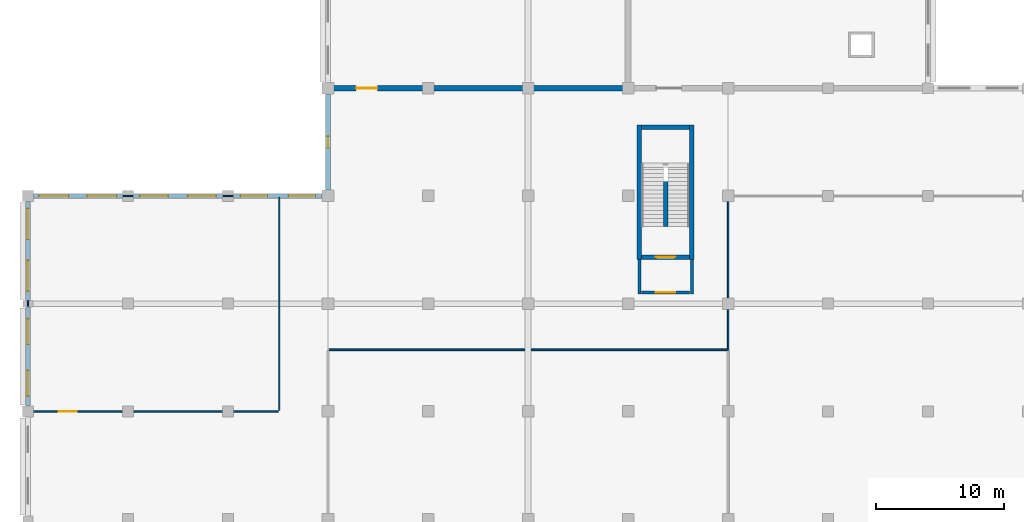
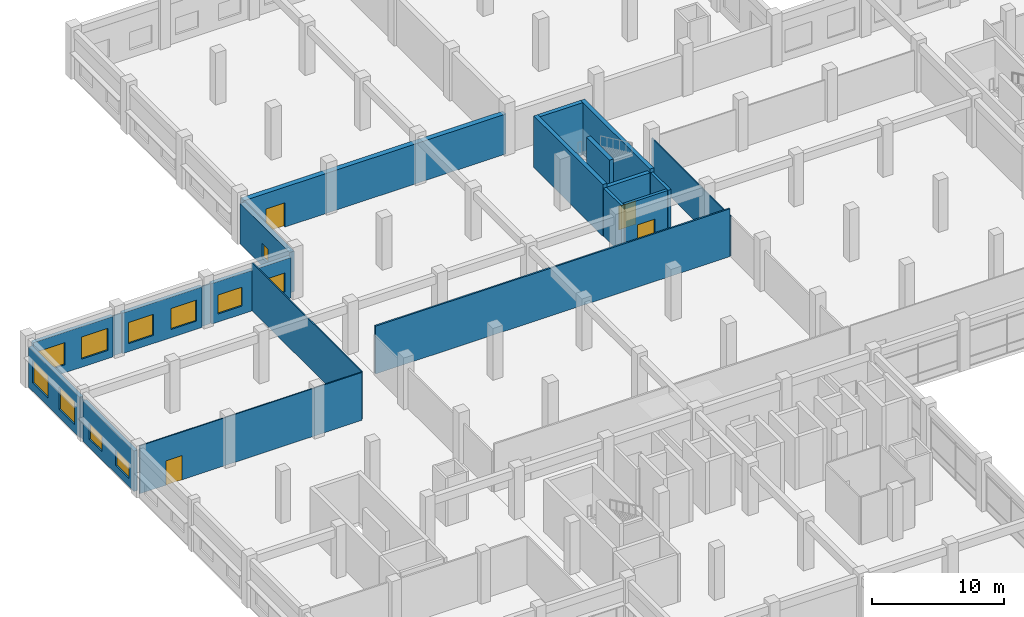
# One storey, part 59 of 79: 22 walls, 11 windows, 4 doors, 15 openings.
"""IFC4 building model written with IfcOpenShell, lengths in metres."""

from ifc_helpers import new_model, si_unit, direction, frame, frame_2d, origin, place, context, subcontext, project, spatial, rectangle, extrude, material, layer, layer_set, type_object, element, fill, save


model = new_model("IFC4")

# Units and contexts
model_context = context("Model", 3, precision=1e-05, world=origin(), true_north=direction((0.0, 1.0)))
body_context = subcontext(model_context, "Body", "Model", "MODEL_VIEW")
ifc_project = project(units=[si_unit("LENGTHUNIT", "METRE"), si_unit("AREAUNIT", "SQUARE_METRE"), si_unit("VOLUMEUNIT", "CUBIC_METRE"), si_unit("PLANEANGLEUNIT", "RADIAN"), si_unit("MASSUNIT", "GRAM", prefix="KILO"), si_unit("THERMODYNAMICTEMPERATUREUNIT", "KELVIN"), si_unit("POWERUNIT", "WATT")], contexts=[model_context])

# Site, building, storey
site_placement = place(None, origin())
site = spatial("IfcSite", under=ifc_project, at=site_placement, CompositionType="ELEMENT")
building_placement = place(site_placement, origin())
building = spatial("IfcBuilding", under=site, at=building_placement, Name="Srebrne Nadtorze General Hospital", CompositionType="ELEMENT")
storey_placement = place(building_placement, frame((0.0, 0.0, 4.800048828125)))
storey = spatial("IfcBuildingStorey", under=building, at=storey_placement, Name="L01", CompositionType="ELEMENT", Elevation=4.800048828125)

# Wall, opening, window
ifc_material_1 = material(Name="Concrete C40/50", Category="concrete")
ifc_layer_1 = layer(ifc_material_1, 0.419921875)
ifc_layer_set_1 = layer_set([ifc_layer_1], Name="Concrete C40/50")
wall_type_1 = type_object("IfcWallType", Name="Acoustic buffer wall 420", PredefinedType="SOLIDWALL", material=ifc_layer_set_1)
wall_1_placement = place(storey_placement, frame((23.39990234375, 84.449951171875, 0.0), z_axis=(0.0, 0.0, 1.0), x_axis=(0.0, 1.0, 0.0)))
wall_1 = element("IfcWall", 1, at=wall_1_placement, inside=storey, type_object=wall_type_1, Name="Exterior wall WL-ENV-L01-0194", PredefinedType="SOLIDWALL", context=body_context, shape_type="SweptSolid", body=[
    extrude(rectangle(XDim=7.5, YDim=0.419921875, at=frame_2d((3.75, 0.0))), origin(), (0.0, 0.0, 1.0), 3.75),
])
opening_1_placement = place(wall_1_placement, frame((3.300048828125, 0.0, 0.75)))
opening_1 = element("IfcOpeningElement", 2, at=opening_1_placement, cuts=wall_1, Name="Opening WN-L01-0208", PredefinedType="OPENING", context=body_context, shape_type="SweptSolid", body=[
    extrude(rectangle(XDim=0.89990234375, YDim=1.300048828125, at=frame_2d((0.449951171875, 0.64990234375))), frame((0.0, 0.221923828125, 0.0), z_axis=(0.0, -1.0, 0.0), x_axis=(1.0, 0.0, 0.0)), (0.0, 0.0, 1.0), 0.44384765625),
])
ifc_material_2 = material(Name="Triple Low-E Glazing", Category="glass")
window_type_1 = type_object("IfcWindowType", Name="Punched clinical window 900x1300", PartitioningType="SINGLE_PANEL", PredefinedType="WINDOW", material=ifc_material_2)
window_1_placement = place(opening_1_placement, origin())
window_1 = element("IfcWindow", 3, at=window_1_placement, inside=storey, type_object=window_type_1, Name="Clinical window WN-L01-0208", OverallHeight=1.300048828125, OverallWidth=0.89990234375, PartitioningType="SINGLE_PANEL", PredefinedType="WINDOW", context=body_context, shape_type="SweptSolid", body=[
    extrude(rectangle(XDim=0.89990234375, YDim=1.300048828125, at=frame_2d((0.449951171875, 0.64990234375))), frame((0.0, 0.030029296875, 0.0), z_axis=(0.0, -1.0, 0.0), x_axis=(1.0, 0.0, 0.0)), (0.0, 0.0, 1.0), 0.06005859375),
])
fill(opening_1, window_1)

# Walls
ifc_material_3 = material(Name="Gypsum Healthcare Partition")
ifc_layer_2 = layer(ifc_material_3, 0.139892578125)
ifc_layer_set_2 = layer_set([ifc_layer_2], Name="Gypsum Healthcare Partition")
wall_type_2 = type_object("IfcWallType", Name="Clinical partition 140", PredefinedType="PARTITIONING", material=ifc_layer_set_2)
wall_2_placement = place(storey_placement, frame((23.485107421875, 72.0, 0.0), z_axis=(0.0, 0.0, 1.0), x_axis=(1.0, 0.0, 0.0)))
element("IfcWall", 4, at=wall_2_placement, inside=storey, type_object=wall_type_2, Name="Interventional Radiology Suite wall WL-INT-L01-1436", PredefinedType="PARTITIONING", context=body_context, shape_type="SweptSolid", body=[
    extrude(rectangle(XDim=31.02978515625, YDim=0.139892578125, at=frame_2d((15.514892578125, 0.0))), origin(), (0.0, 0.0, 1.0), 4.429931640625),
])
ifc_material_4 = material(Name="Gypsum Healthcare Partition")
ifc_layer_3 = layer(ifc_material_4, 0.239990234375)
ifc_layer_set_3 = layer_set([ifc_layer_3], Name="Gypsum Healthcare Partition")
wall_type_3 = type_object("IfcWallType", Name="Corridor fire wall 240", PredefinedType="STANDARD", material=ifc_layer_set_3)
for number, where, z_axis, x_axis, name in (
    (5, (47.675048828125, 76.35498046875, 0.0), (0.0, 0.0, 1.0), (0.0, 1.0, 0.0), "Fire lobby wall ST-02 WL-INT-L01-0141"),
    (6, (51.77490234375, 76.35498046875, 0.0), (0.0, 0.0, 1.0), (0.0, 1.0, 0.0), "Fire lobby wall ST-02 WL-INT-L01-0142"),
):
    element("IfcWall", number, at=place(storey_placement, frame(where, z_axis=z_axis, x_axis=x_axis)), inside=storey, type_object=wall_type_3, Name=name, PredefinedType="STANDARD", context=body_context, shape_type="SweptSolid", body=[
        extrude(rectangle(XDim=2.695068359375, YDim=0.239990234375, at=frame_2d((1.34765625, 0.0))), origin(), (0.0, 0.0, 1.0), 4.449951171875),
    ])

# Wall, opening, door
wall_3_placement = place(storey_placement, frame((47.85009765625, 76.47509765625, 0.0), z_axis=(0.0, 0.0, 1.0), x_axis=(1.0, 0.0, 0.0)))
wall_3 = element("IfcWall", 7, at=wall_3_placement, inside=storey, type_object=wall_type_3, Name="Fire lobby entry wall ST-02 WL-INT-L01-0143", PredefinedType="STANDARD", context=body_context, shape_type="SweptSolid", body=[
    extrude(rectangle(XDim=3.75, YDim=0.239990234375, at=frame_2d((1.875, 0.0))), origin(), (0.0, 0.0, 1.0), 4.449951171875),
])
opening_2_placement = place(wall_3_placement, frame((1.125, 0.0, 0.0)))
opening_2 = element("IfcOpeningElement", 8, at=opening_2_placement, cuts=wall_3, Name="Opening D-L01-0036", PredefinedType="OPENING", context=body_context, shape_type="SweptSolid", body=[
    extrude(rectangle(XDim=1.5, YDim=2.199951171875, at=frame_2d((0.75, 1.10009765625))), frame((0.0, 0.1318359375, 0.0), z_axis=(0.0, -1.0, 0.0), x_axis=(1.0, 0.0, 0.0)), (0.0, 0.0, 1.0), 0.263916015625),
])
ifc_material_5 = material(Name="Anodised Aluminium", Category="aluminium")
door_type_1 = type_object("IfcDoorType", Name="Double leaf door 1500x2200", OperationType="DOUBLE_DOOR_SINGLE_SWING", PredefinedType="DOOR", material=ifc_material_5)
door_1_placement = place(opening_2_placement, origin())
door_1 = element("IfcDoor", 9, at=door_1_placement, inside=storey, type_object=door_type_1, Name="Fire lobby door ST-02 D-L01-0036", OperationType="DOUBLE_DOOR_SINGLE_SWING", OverallHeight=2.199951171875, OverallWidth=1.5, PredefinedType="DOOR", context=body_context, shape_type="SweptSolid", body=[
    extrude(rectangle(XDim=1.5, YDim=2.199951171875, at=frame_2d((0.75, 1.10009765625))), frame((0.0, 0.02490234375, 0.0), z_axis=(0.0, -1.0, 0.0), x_axis=(1.0, 0.0, 0.0)), (0.0, 0.0, 1.0), 0.050048828125),
])
fill(opening_2, door_1)

ifc_material_6 = material(Name="Concrete C35/45", Category="concrete")
ifc_layer_4 = layer(ifc_material_6, 0.449951171875)
ifc_layer_set_4 = layer_set([ifc_layer_4], Name="Concrete C35/45")
wall_type_4 = type_object("IfcWallType", Name="Radiation shield wall 450", PredefinedType="STANDARD", material=ifc_layer_set_4)
wall_4_placement = place(storey_placement, frame((23.614990234375, 92.39990234375, 0.0), z_axis=(0.0, 0.0, 1.0), x_axis=(1.0, 0.0, 0.0)))
wall_4 = element("IfcWall", 10, at=wall_4_placement, inside=storey, type_object=wall_type_4, Name="Diagnostic Imaging MRI Suite wall WL-INT-L01-1415", PredefinedType="STANDARD", context=body_context, shape_type="SweptSolid", body=[
    extrude(rectangle(XDim=22.969970703125, YDim=0.449951171875, at=frame_2d((11.48486328125, 0.0))), origin(), (0.0, 0.0, 1.0), 3.699951171875),
])
opening_3_placement = place(wall_4_placement, frame((1.985107421875, 0.0, 0.0)))
opening_3 = element("IfcOpeningElement", 11, at=opening_3_placement, cuts=wall_4, Name="Opening D-L01-0220", PredefinedType="OPENING", context=body_context, shape_type="SweptSolid", body=[
    extrude(rectangle(XDim=1.64990234375, YDim=2.25, at=frame_2d((0.824951171875, 1.125))), frame((0.0, 0.23681640625, 0.0), z_axis=(0.0, -1.0, 0.0), x_axis=(1.0, 0.0, 0.0)), (0.0, 0.0, 1.0), 0.473876953125),
])
ifc_material_7 = material(Name="Anodised Aluminium", Category="aluminium")
door_type_2 = type_object("IfcDoorType", Name="Double leaf door 1650x2250", OperationType="DOUBLE_DOOR_SINGLE_SWING", PredefinedType="DOOR", material=ifc_material_7)
door_2_placement = place(opening_3_placement, origin())
door_2 = element("IfcDoor", 12, at=door_2_placement, inside=storey, type_object=door_type_2, Name="Diagnostic Imaging MRI Suite door D-L01-0220", OperationType="DOUBLE_DOOR_SINGLE_SWING", OverallHeight=2.25, OverallWidth=1.64990234375, PredefinedType="DOOR", context=body_context, shape_type="SweptSolid", body=[
    extrude(rectangle(XDim=1.64990234375, YDim=2.25, at=frame_2d((0.824951171875, 1.125))), frame((0.0, 0.02490234375, 0.0), z_axis=(0.0, -1.0, 0.0), x_axis=(1.0, 0.0, 0.0)), (0.0, 0.0, 1.0), 0.050048828125),
])
fill(opening_3, door_2)

ifc_material_8 = material(Name="Gypsum Healthcare Partition")
ifc_layer_5 = layer(ifc_material_8, 0.10009765625)
ifc_layer_set_5 = layer_set([ifc_layer_5], Name="Gypsum Healthcare Partition")
wall_type_5 = type_object("IfcWallType", Name="Shaft lining wall 100", PredefinedType="PARTITIONING", material=ifc_layer_set_5)
wall_5_placement = place(storey_placement, frame((0.0849609375, 67.199951171875, 0.0), z_axis=(0.0, 0.0, 1.0), x_axis=(1.0, 0.0, 0.0)))
wall_5 = element("IfcWall", 13, at=wall_5_placement, inside=storey, type_object=wall_type_5, Name="Pediatric Emergency Observation Ward wall WL-INT-L01-1410", PredefinedType="PARTITIONING", context=body_context, shape_type="SweptSolid", body=[
    extrude(rectangle(XDim=19.429931640625, YDim=0.10009765625, at=frame_2d((9.71484375, 0.0))), origin(), (0.0, 0.0, 1.0), 4.429931640625),
])
opening_4_placement = place(wall_5_placement, frame((2.3125, 0.0, 0.0)))
opening_4 = element("IfcOpeningElement", 14, at=opening_4_placement, cuts=wall_5, Name="Opening D-L01-0219", PredefinedType="OPENING", context=body_context, shape_type="SweptSolid", body=[
    extrude(rectangle(XDim=1.39990234375, YDim=2.25, at=frame_2d((0.699951171875, 1.125))), frame((0.0, 0.06201171875, 0.0), z_axis=(0.0, -1.0, 0.0), x_axis=(1.0, 0.0, 0.0)), (0.0, 0.0, 1.0), 0.1240234375),
])
ifc_material_9 = material(Name="Anodised Aluminium", Category="aluminium")
door_type_3 = type_object("IfcDoorType", Name="Single leaf door 1400x2250", OperationType="NOTDEFINED", PredefinedType="DOOR", material=ifc_material_9)
door_3_placement = place(opening_4_placement, origin())
door_3 = element("IfcDoor", 15, at=door_3_placement, inside=storey, type_object=door_type_3, Name="Pediatric Emergency Observation Ward door D-L01-0219", OperationType="SINGLE_SWING_LEFT", OverallHeight=2.25, OverallWidth=1.39990234375, PredefinedType="DOOR", context=body_context, shape_type="SweptSolid", body=[
    extrude(rectangle(XDim=1.39990234375, YDim=2.25, at=frame_2d((0.699951171875, 1.125))), frame((0.0, 0.02490234375, 0.0), z_axis=(0.0, -1.0, 0.0), x_axis=(1.0, 0.0, 0.0)), (0.0, 0.0, 1.0), 0.050048828125),
])
fill(opening_4, door_3)

# Walls
for number, where, z_axis, x_axis, name in (
    (16, (7.4150390625, 84.0, 0.0), (0.0, 0.0, 1.0), (1.0, 0.0, 0.0), "Pediatric Emergency Observation Ward wall WL-INT-L01-1411"),
    (17, (15.215087890625, 84.0, 0.0), (0.0, 0.0, 1.0), (1.0, 0.0, 0.0), "Pediatric Emergency Observation Ward wall WL-INT-L01-1412"),
):
    element("IfcWall", number, at=place(storey_placement, frame(where, z_axis=z_axis, x_axis=x_axis)), inside=storey, type_object=wall_type_5, Name=name, PredefinedType="PARTITIONING", context=body_context, shape_type="SweptSolid", body=[
        extrude(rectangle(XDim=0.77001953125, YDim=0.10009765625, at=frame_2d((0.385009765625, 0.0))), origin(), (0.0, 0.0, 1.0), 3.699951171875),
    ])
wall_6_placement = place(storey_placement, frame((0.0, 75.389892578125, 0.0), z_axis=(0.0, 0.0, 1.0), x_axis=(0.0, 1.0, 0.0)))
element("IfcWall", 18, at=wall_6_placement, inside=storey, type_object=wall_type_5, Name="Pediatric Emergency Observation Ward wall WL-INT-L01-1413", PredefinedType="PARTITIONING", context=body_context, shape_type="SweptSolid", body=[
    extrude(rectangle(XDim=0.420166015625, YDim=0.10009765625, at=frame_2d((0.2099609375, 0.0))), origin(), (0.0, 0.0, 1.0), 3.699951171875),
])
wall_7_placement = place(storey_placement, frame((19.60009765625, 67.284912109375, 0.0), z_axis=(0.0, 0.0, 1.0), x_axis=(0.0, 1.0, 0.0)))
element("IfcWall", 19, at=wall_7_placement, inside=storey, type_object=wall_type_5, Name="Pediatric Emergency Observation Ward wall WL-INT-L01-1414", PredefinedType="PARTITIONING", context=body_context, shape_type="SweptSolid", body=[
    extrude(rectangle(XDim=16.630126953125, YDim=0.10009765625, at=frame_2d((8.31494140625, 0.0))), origin(), (0.0, 0.0, 1.0), 4.429931640625),
])
wall_8_placement = place(storey_placement, frame((54.60009765625, 71.955078125, 0.0), z_axis=(0.0, 0.0, 1.0), x_axis=(0.0, 1.0, 0.0)))
element("IfcWall", 20, at=wall_8_placement, inside=storey, type_object=wall_type_5, Name="Angiography and Fluoroscopy Suite wall WL-INT-L01-1441", PredefinedType="PARTITIONING", context=body_context, shape_type="SweptSolid", body=[
    extrude(rectangle(XDim=11.9599609375, YDim=0.10009765625, at=frame_2d((5.97998046875, 0.0))), origin(), (0.0, 0.0, 1.0), 3.699951171875),
])
ifc_material_10 = material(Name="Concrete C40/50", Category="concrete")
ifc_layer_6 = layer(ifc_material_10, 0.35009765625)
ifc_layer_set_6 = layer_set([ifc_layer_6], Name="Concrete C40/50")
wall_type_6 = type_object("IfcWallType", Name="Shear core wall 350", PredefinedType="SHEAR", material=ifc_layer_set_6)
for number, where, z_axis, x_axis, name in (
    (21, (47.675048828125, 79.050048828125, 0.0), (0.0, 0.0, 1.0), (0.0, 1.0, 0.0), "Stair core wall ST-02 WL-INT-L01-0137"),
    (22, (51.77490234375, 79.050048828125, 0.0), (0.0, 0.0, 1.0), (0.0, 1.0, 0.0), "Stair core wall ST-02 WL-INT-L01-0138"),
):
    element("IfcWall", number, at=place(storey_placement, frame(where, z_axis=z_axis, x_axis=x_axis)), inside=storey, type_object=wall_type_6, Name=name, PredefinedType="SHEAR", context=body_context, shape_type="SweptSolid", body=[
        extrude(rectangle(XDim=10.5, YDim=0.35009765625, at=frame_2d((5.25, 0.0))), origin(), (0.0, 0.0, 1.0), 4.800048828125),
    ])
wall_9_placement = place(storey_placement, frame((47.85009765625, 89.375, 0.0), z_axis=(0.0, 0.0, 1.0), x_axis=(1.0, 0.0, 0.0)))
element("IfcWall", 23, at=wall_9_placement, inside=storey, type_object=wall_type_6, Name="Stair core wall ST-02 WL-INT-L01-0139", PredefinedType="SHEAR", context=body_context, shape_type="SweptSolid", body=[
    extrude(rectangle(XDim=3.75, YDim=0.35009765625, at=frame_2d((1.875, 0.0))), origin(), (0.0, 0.0, 1.0), 4.800048828125),
])

# Wall, opening, door
wall_10_placement = place(storey_placement, frame((47.85009765625, 79.22509765625, 0.0), z_axis=(0.0, 0.0, 1.0), x_axis=(1.0, 0.0, 0.0)))
wall_10 = element("IfcWall", 24, at=wall_10_placement, inside=storey, type_object=wall_type_6, Name="Stairwell fire wall ST-02 WL-INT-L01-0140", PredefinedType="SHEAR", context=body_context, shape_type="SweptSolid", body=[
    extrude(rectangle(XDim=3.75, YDim=0.35009765625, at=frame_2d((1.875, 0.0))), origin(), (0.0, 0.0, 1.0), 4.449951171875),
])
opening_5_placement = place(wall_10_placement, frame((1.125, 0.0, 0.0)))
opening_5 = element("IfcOpeningElement", 25, at=opening_5_placement, cuts=wall_10, Name="Opening D-L01-0035", PredefinedType="OPENING", context=body_context, shape_type="SweptSolid", body=[
    extrude(rectangle(XDim=1.5, YDim=2.199951171875, at=frame_2d((0.75, 1.10009765625))), frame((0.0, 0.18701171875, 0.0), z_axis=(0.0, -1.0, 0.0), x_axis=(1.0, 0.0, 0.0)), (0.0, 0.0, 1.0), 0.3740234375),
])
door_4_placement = place(opening_5_placement, origin())
door_4 = element("IfcDoor", 26, at=door_4_placement, inside=storey, type_object=door_type_1, Name="Protected stair door ST-02 D-L01-0035", OperationType="DOUBLE_DOOR_SINGLE_SWING", OverallHeight=2.199951171875, OverallWidth=1.5, PredefinedType="DOOR", context=body_context, shape_type="SweptSolid", body=[
    extrude(rectangle(XDim=1.5, YDim=2.199951171875, at=frame_2d((0.75, 1.10009765625))), frame((0.0, 0.02490234375, 0.0), z_axis=(0.0, -1.0, 0.0), x_axis=(1.0, 0.0, 0.0)), (0.0, 0.0, 1.0), 0.050048828125),
])
fill(opening_5, door_4)

# Wall
wall_11_placement = place(storey_placement, frame((49.72509765625, 81.60009765625, 0.0), z_axis=(0.0, 0.0, 1.0), x_axis=(0.0, 1.0, 0.0)))
element("IfcWall", 27, at=wall_11_placement, inside=storey, type_object=wall_type_6, Name="Stair spine wall ST-02 WL-INT-L01-0144", PredefinedType="SHEAR", context=body_context, shape_type="SweptSolid", body=[
    extrude(rectangle(XDim=3.52001953125, YDim=0.35009765625, at=frame_2d((1.760009765625, 0.0))), origin(), (0.0, 0.0, 1.0), 4.800048828125),
])

# Wall, openings, windows
ifc_material_11 = material(Name="Concrete C35/45", Category="concrete")
ifc_layer_7 = layer(ifc_material_11, 0.320068359375)
ifc_layer_set_7 = layer_set([ifc_layer_7], Name="Concrete C35/45")
wall_type_7 = type_object("IfcWallType", Name="Spandrel wall 320", PredefinedType="STANDARD", material=ifc_layer_set_7)
wall_12_placement = place(storey_placement, frame((0.425048828125, 84.0, 0.0), z_axis=(0.0, 0.0, 1.0), x_axis=(1.0, 0.0, 0.0)))
wall_12 = element("IfcWall", 28, at=wall_12_placement, inside=storey, type_object=wall_type_7, Name="Exterior wall WL-ENV-L01-0165", PredefinedType="STANDARD", context=body_context, shape_type="SweptSolid", body=[
    extrude(rectangle(XDim=6.949951171875, YDim=0.320068359375, at=frame_2d((3.47509765625, 0.0))), origin(), (0.0, 0.0, 1.0), 3.75),
])
opening_6_placement = place(wall_12_placement, frame((0.452880859375, 0.0, 0.75)))
opening_6 = element("IfcOpeningElement", 29, at=opening_6_placement, cuts=wall_12, Name="Opening WN-L01-0150", PredefinedType="OPENING", context=body_context, shape_type="SweptSolid", body=[
    extrude(rectangle(XDim=2.300048828125, YDim=2.050048828125, at=frame_2d((1.14990234375, 1.02490234375))), frame((0.0, 0.171875, 0.0), z_axis=(0.0, -1.0, 0.0), x_axis=(1.0, 0.0, 0.0)), (0.0, 0.0, 1.0), 0.343994140625),
])
opening_7_placement = place(wall_12_placement, frame((4.197021484375, 0.0, 0.75)))
opening_7 = element("IfcOpeningElement", 30, at=opening_7_placement, cuts=wall_12, Name="Opening WN-L01-0151", PredefinedType="OPENING", context=body_context, shape_type="SweptSolid", body=[
    extrude(rectangle(XDim=2.300048828125, YDim=2.050048828125, at=frame_2d((1.14990234375, 1.02490234375))), frame((0.0, 0.171875, 0.0), z_axis=(0.0, -1.0, 0.0), x_axis=(1.0, 0.0, 0.0)), (0.0, 0.0, 1.0), 0.343994140625),
])
ifc_material_12 = material(Name="Triple Low-E Glazing", Category="glass")
window_type_2 = type_object("IfcWindowType", Name="Punched clinical window 2300x2050", PartitioningType="DOUBLE_PANEL_VERTICAL", PredefinedType="WINDOW", material=ifc_material_12)
window_2_placement = place(opening_6_placement, origin())
window_2 = element("IfcWindow", 31, at=window_2_placement, inside=storey, type_object=window_type_2, Name="Clinical window WN-L01-0150", OverallHeight=2.050048828125, OverallWidth=2.300048828125, PartitioningType="DOUBLE_PANEL_VERTICAL", PredefinedType="WINDOW", context=body_context, shape_type="SweptSolid", body=[
    extrude(rectangle(XDim=2.300048828125, YDim=2.050048828125, at=frame_2d((1.14990234375, 1.02490234375))), frame((0.0, 0.030029296875, 0.0), z_axis=(0.0, -1.0, 0.0), x_axis=(1.0, 0.0, 0.0)), (0.0, 0.0, 1.0), 0.06005859375),
])
fill(opening_6, window_2)
window_3_placement = place(opening_7_placement, origin())
window_3 = element("IfcWindow", 32, at=window_3_placement, inside=storey, type_object=window_type_2, Name="Clinical window WN-L01-0151", OverallHeight=2.050048828125, OverallWidth=2.300048828125, PartitioningType="DOUBLE_PANEL_VERTICAL", PredefinedType="WINDOW", context=body_context, shape_type="SweptSolid", body=[
    extrude(rectangle(XDim=2.300048828125, YDim=2.050048828125, at=frame_2d((1.14990234375, 1.02490234375))), frame((0.0, 0.030029296875, 0.0), z_axis=(0.0, -1.0, 0.0), x_axis=(1.0, 0.0, 0.0)), (0.0, 0.0, 1.0), 0.06005859375),
])
fill(opening_7, window_3)

wall_13_placement = place(storey_placement, frame((8.22509765625, 84.0, 0.0), z_axis=(0.0, 0.0, 1.0), x_axis=(1.0, 0.0, 0.0)))
wall_13 = element("IfcWall", 33, at=wall_13_placement, inside=storey, type_object=wall_type_7, Name="Exterior wall WL-ENV-L01-0166", PredefinedType="STANDARD", context=body_context, shape_type="SweptSolid", body=[
    extrude(rectangle(XDim=6.949951171875, YDim=0.320068359375, at=frame_2d((3.47509765625, 0.0))), origin(), (0.0, 0.0, 1.0), 3.75),
])
opening_8_placement = place(wall_13_placement, frame((0.5029296875, 0.0, 0.75)))
opening_8 = element("IfcOpeningElement", 34, at=opening_8_placement, cuts=wall_13, Name="Opening WN-L01-0152", PredefinedType="OPENING", context=body_context, shape_type="SweptSolid", body=[
    extrude(rectangle(XDim=2.199951171875, YDim=1.949951171875, at=frame_2d((1.10009765625, 0.97509765625))), frame((0.0, 0.171875, 0.0), z_axis=(0.0, -1.0, 0.0), x_axis=(1.0, 0.0, 0.0)), (0.0, 0.0, 1.0), 0.343994140625),
])
opening_9_placement = place(wall_13_placement, frame((4.2470703125, 0.0, 0.75)))
opening_9 = element("IfcOpeningElement", 35, at=opening_9_placement, cuts=wall_13, Name="Opening WN-L01-0153", PredefinedType="OPENING", context=body_context, shape_type="SweptSolid", body=[
    extrude(rectangle(XDim=2.199951171875, YDim=1.949951171875, at=frame_2d((1.10009765625, 0.97509765625))), frame((0.0, 0.171875, 0.0), z_axis=(0.0, -1.0, 0.0), x_axis=(1.0, 0.0, 0.0)), (0.0, 0.0, 1.0), 0.343994140625),
])
ifc_material_13 = material(Name="Triple Low-E Glazing", Category="glass")
window_type_3 = type_object("IfcWindowType", Name="Punched clinical window 2200x1950", PartitioningType="DOUBLE_PANEL_VERTICAL", PredefinedType="WINDOW", material=ifc_material_13)
window_4_placement = place(opening_8_placement, origin())
window_4 = element("IfcWindow", 36, at=window_4_placement, inside=storey, type_object=window_type_3, Name="Clinical window WN-L01-0152", OverallHeight=1.949951171875, OverallWidth=2.199951171875, PartitioningType="DOUBLE_PANEL_VERTICAL", PredefinedType="WINDOW", context=body_context, shape_type="SweptSolid", body=[
    extrude(rectangle(XDim=2.199951171875, YDim=1.949951171875, at=frame_2d((1.10009765625, 0.97509765625))), frame((0.0, 0.030029296875, 0.0), z_axis=(0.0, -1.0, 0.0), x_axis=(1.0, 0.0, 0.0)), (0.0, 0.0, 1.0), 0.06005859375),
])
fill(opening_8, window_4)
window_5_placement = place(opening_9_placement, origin())
window_5 = element("IfcWindow", 37, at=window_5_placement, inside=storey, type_object=window_type_3, Name="Clinical window WN-L01-0153", OverallHeight=1.949951171875, OverallWidth=2.199951171875, PartitioningType="DOUBLE_PANEL_VERTICAL", PredefinedType="WINDOW", context=body_context, shape_type="SweptSolid", body=[
    extrude(rectangle(XDim=2.199951171875, YDim=1.949951171875, at=frame_2d((1.10009765625, 0.97509765625))), frame((0.0, 0.030029296875, 0.0), z_axis=(0.0, -1.0, 0.0), x_axis=(1.0, 0.0, 0.0)), (0.0, 0.0, 1.0), 0.06005859375),
])
fill(opening_9, window_5)

wall_14_placement = place(storey_placement, frame((16.02490234375, 84.0, 0.0), z_axis=(0.0, 0.0, 1.0), x_axis=(1.0, 0.0, 0.0)))
wall_14 = element("IfcWall", 38, at=wall_14_placement, inside=storey, type_object=wall_type_7, Name="Exterior wall WL-ENV-L01-0167", PredefinedType="STANDARD", context=body_context, shape_type="SweptSolid", body=[
    extrude(rectangle(XDim=6.925048828125, YDim=0.320068359375, at=frame_2d((3.46240234375, 0.0))), origin(), (0.0, 0.0, 1.0), 3.75),
])
opening_10_placement = place(wall_14_placement, frame((0.552978515625, 0.0, 0.75)))
opening_10 = element("IfcOpeningElement", 39, at=opening_10_placement, cuts=wall_14, Name="Opening WN-L01-0154", PredefinedType="OPENING", context=body_context, shape_type="SweptSolid", body=[
    extrude(rectangle(XDim=2.10009765625, YDim=1.75, at=frame_2d((1.050048828125, 0.875))), frame((0.0, 0.171875, 0.0), z_axis=(0.0, -1.0, 0.0), x_axis=(1.0, 0.0, 0.0)), (0.0, 0.0, 1.0), 0.343994140625),
])
opening_11_placement = place(wall_14_placement, frame((4.297119140625, 0.0, 0.75)))
opening_11 = element("IfcOpeningElement", 40, at=opening_11_placement, cuts=wall_14, Name="Opening WN-L01-0155", PredefinedType="OPENING", context=body_context, shape_type="SweptSolid", body=[
    extrude(rectangle(XDim=2.10009765625, YDim=1.75, at=frame_2d((1.050048828125, 0.875))), frame((0.0, 0.171875, 0.0), z_axis=(0.0, -1.0, 0.0), x_axis=(1.0, 0.0, 0.0)), (0.0, 0.0, 1.0), 0.343994140625),
])
ifc_material_14 = material(Name="Triple Low-E Glazing", Category="glass")
window_type_4 = type_object("IfcWindowType", Name="Punched clinical window 2100x1750", PartitioningType="DOUBLE_PANEL_VERTICAL", PredefinedType="WINDOW", material=ifc_material_14)
window_6_placement = place(opening_10_placement, origin())
window_6 = element("IfcWindow", 41, at=window_6_placement, inside=storey, type_object=window_type_4, Name="Clinical window WN-L01-0154", OverallHeight=1.75, OverallWidth=2.10009765625, PartitioningType="DOUBLE_PANEL_VERTICAL", PredefinedType="WINDOW", context=body_context, shape_type="SweptSolid", body=[
    extrude(rectangle(XDim=2.10009765625, YDim=1.75, at=frame_2d((1.050048828125, 0.875))), frame((0.0, 0.030029296875, 0.0), z_axis=(0.0, -1.0, 0.0), x_axis=(1.0, 0.0, 0.0)), (0.0, 0.0, 1.0), 0.06005859375),
])
fill(opening_10, window_6)
window_7_placement = place(opening_11_placement, origin())
window_7 = element("IfcWindow", 42, at=window_7_placement, inside=storey, type_object=window_type_4, Name="Clinical window WN-L01-0155", OverallHeight=1.75, OverallWidth=2.10009765625, PartitioningType="DOUBLE_PANEL_VERTICAL", PredefinedType="WINDOW", context=body_context, shape_type="SweptSolid", body=[
    extrude(rectangle(XDim=2.10009765625, YDim=1.75, at=frame_2d((1.050048828125, 0.875))), frame((0.0, 0.030029296875, 0.0), z_axis=(0.0, -1.0, 0.0), x_axis=(1.0, 0.0, 0.0)), (0.0, 0.0, 1.0), 0.06005859375),
])
fill(opening_11, window_7)

wall_15_placement = place(storey_placement, frame((0.0, 67.625, 0.0), z_axis=(0.0, 0.0, 1.0), x_axis=(0.0, 1.0, 0.0)))
wall_15 = element("IfcWall", 43, at=wall_15_placement, inside=storey, type_object=wall_type_7, Name="Exterior wall WL-ENV-L01-0188", PredefinedType="STANDARD", context=body_context, shape_type="SweptSolid", body=[
    extrude(rectangle(XDim=7.72509765625, YDim=0.320068359375, at=frame_2d((3.862548828125, 0.0))), origin(), (0.0, 0.0, 1.0), 3.75),
])
opening_12_placement = place(wall_15_placement, frame((0.759033203125, 0.0, 0.75)))
opening_12 = element("IfcOpeningElement", 44, at=opening_12_placement, cuts=wall_15, Name="Opening WN-L01-0196", PredefinedType="OPENING", context=body_context, shape_type="SweptSolid", body=[
    extrude(rectangle(XDim=2.0, YDim=1.449951171875, at=frame_2d((1.0, 0.72509765625))), frame((0.0, 0.171875, 0.0), z_axis=(0.0, -1.0, 0.0), x_axis=(1.0, 0.0, 0.0)), (0.0, 0.0, 1.0), 0.343994140625),
])
opening_13_placement = place(wall_15_placement, frame((4.791015625, 0.0, 0.75)))
opening_13 = element("IfcOpeningElement", 45, at=opening_13_placement, cuts=wall_15, Name="Opening WN-L01-0197", PredefinedType="OPENING", context=body_context, shape_type="SweptSolid", body=[
    extrude(rectangle(XDim=2.0, YDim=1.449951171875, at=frame_2d((1.0, 0.72509765625))), frame((0.0, 0.171875, 0.0), z_axis=(0.0, -1.0, 0.0), x_axis=(1.0, 0.0, 0.0)), (0.0, 0.0, 1.0), 0.343994140625),
])
ifc_material_15 = material(Name="Triple Low-E Glazing", Category="glass")
window_type_5 = type_object("IfcWindowType", Name="Punched clinical window 2000x1450", PartitioningType="DOUBLE_PANEL_VERTICAL", PredefinedType="WINDOW", material=ifc_material_15)
window_8_placement = place(opening_12_placement, origin())
window_8 = element("IfcWindow", 46, at=window_8_placement, inside=storey, type_object=window_type_5, Name="Clinical window WN-L01-0196", OverallHeight=1.449951171875, OverallWidth=2.0, PartitioningType="DOUBLE_PANEL_VERTICAL", PredefinedType="WINDOW", context=body_context, shape_type="SweptSolid", body=[
    extrude(rectangle(XDim=2.0, YDim=1.449951171875, at=frame_2d((1.0, 0.72509765625))), frame((0.0, 0.030029296875, 0.0), z_axis=(0.0, -1.0, 0.0), x_axis=(1.0, 0.0, 0.0)), (0.0, 0.0, 1.0), 0.06005859375),
])
fill(opening_12, window_8)
window_9_placement = place(opening_13_placement, origin())
window_9 = element("IfcWindow", 47, at=window_9_placement, inside=storey, type_object=window_type_5, Name="Clinical window WN-L01-0197", OverallHeight=1.449951171875, OverallWidth=2.0, PartitioningType="DOUBLE_PANEL_VERTICAL", PredefinedType="WINDOW", context=body_context, shape_type="SweptSolid", body=[
    extrude(rectangle(XDim=2.0, YDim=1.449951171875, at=frame_2d((1.0, 0.72509765625))), frame((0.0, 0.030029296875, 0.0), z_axis=(0.0, -1.0, 0.0), x_axis=(1.0, 0.0, 0.0)), (0.0, 0.0, 1.0), 0.06005859375),
])
fill(opening_13, window_9)

wall_16_placement = place(storey_placement, frame((0.0, 75.85009765625, 0.0), z_axis=(0.0, 0.0, 1.0), x_axis=(0.0, 1.0, 0.0)))
wall_16 = element("IfcWall", 48, at=wall_16_placement, inside=storey, type_object=wall_type_7, Name="Exterior wall WL-ENV-L01-0189", PredefinedType="STANDARD", context=body_context, shape_type="SweptSolid", body=[
    extrude(rectangle(XDim=7.724853515625, YDim=0.320068359375, at=frame_2d((3.8623046875, 0.0))), origin(), (0.0, 0.0, 1.0), 3.75),
])
opening_14_placement = place(wall_16_placement, frame((0.73388671875, 0.0, 0.75)))
opening_14 = element("IfcOpeningElement", 49, at=opening_14_placement, cuts=wall_16, Name="Opening WN-L01-0198", PredefinedType="OPENING", context=body_context, shape_type="SweptSolid", body=[
    extrude(rectangle(XDim=2.39990234375, YDim=2.10009765625, at=frame_2d((1.199951171875, 1.050048828125))), frame((0.0, 0.171875, 0.0), z_axis=(0.0, -1.0, 0.0), x_axis=(1.0, 0.0, 0.0)), (0.0, 0.0, 1.0), 0.343994140625),
])
opening_15_placement = place(wall_16_placement, frame((4.76611328125, 0.0, 0.75)))
opening_15 = element("IfcOpeningElement", 50, at=opening_15_placement, cuts=wall_16, Name="Opening WN-L01-0199", PredefinedType="OPENING", context=body_context, shape_type="SweptSolid", body=[
    extrude(rectangle(XDim=2.39990234375, YDim=2.10009765625, at=frame_2d((1.199951171875, 1.050048828125))), frame((0.0, 0.171875, 0.0), z_axis=(0.0, -1.0, 0.0), x_axis=(1.0, 0.0, 0.0)), (0.0, 0.0, 1.0), 0.343994140625),
])
ifc_material_16 = material(Name="Triple Low-E Glazing", Category="glass")
window_type_6 = type_object("IfcWindowType", Name="Punched clinical window 2400x2100", PartitioningType="DOUBLE_PANEL_VERTICAL", PredefinedType="WINDOW", material=ifc_material_16)
window_10_placement = place(opening_14_placement, origin())
window_10 = element("IfcWindow", 51, at=window_10_placement, inside=storey, type_object=window_type_6, Name="Clinical window WN-L01-0198", OverallHeight=2.10009765625, OverallWidth=2.39990234375, PartitioningType="DOUBLE_PANEL_VERTICAL", PredefinedType="WINDOW", context=body_context, shape_type="SweptSolid", body=[
    extrude(rectangle(XDim=2.39990234375, YDim=2.10009765625, at=frame_2d((1.199951171875, 1.050048828125))), frame((0.0, 0.030029296875, 0.0), z_axis=(0.0, -1.0, 0.0), x_axis=(1.0, 0.0, 0.0)), (0.0, 0.0, 1.0), 0.06005859375),
])
fill(opening_14, window_10)
window_11_placement = place(opening_15_placement, origin())
window_11 = element("IfcWindow", 52, at=window_11_placement, inside=storey, type_object=window_type_6, Name="Clinical window WN-L01-0199", OverallHeight=2.10009765625, OverallWidth=2.39990234375, PartitioningType="DOUBLE_PANEL_VERTICAL", PredefinedType="WINDOW", context=body_context, shape_type="SweptSolid", body=[
    extrude(rectangle(XDim=2.39990234375, YDim=2.10009765625, at=frame_2d((1.199951171875, 1.050048828125))), frame((0.0, 0.030029296875, 0.0), z_axis=(0.0, -1.0, 0.0), x_axis=(1.0, 0.0, 0.0)), (0.0, 0.0, 1.0), 0.06005859375),
])
fill(opening_15, window_11)

save(model, "model.ifc")
